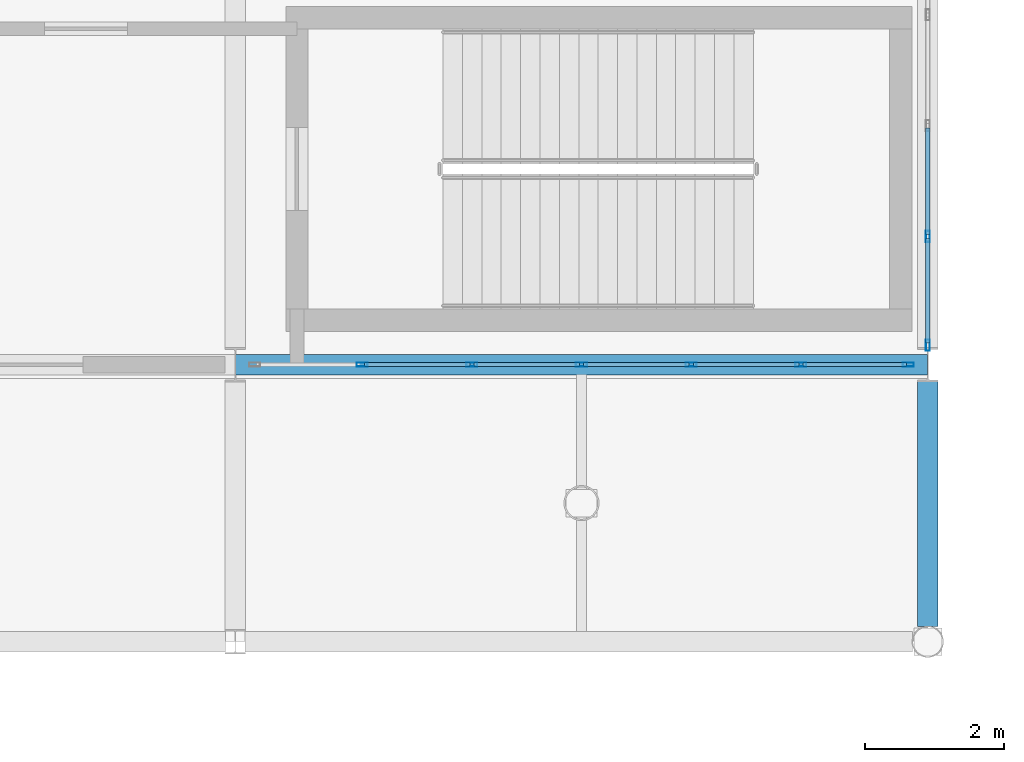
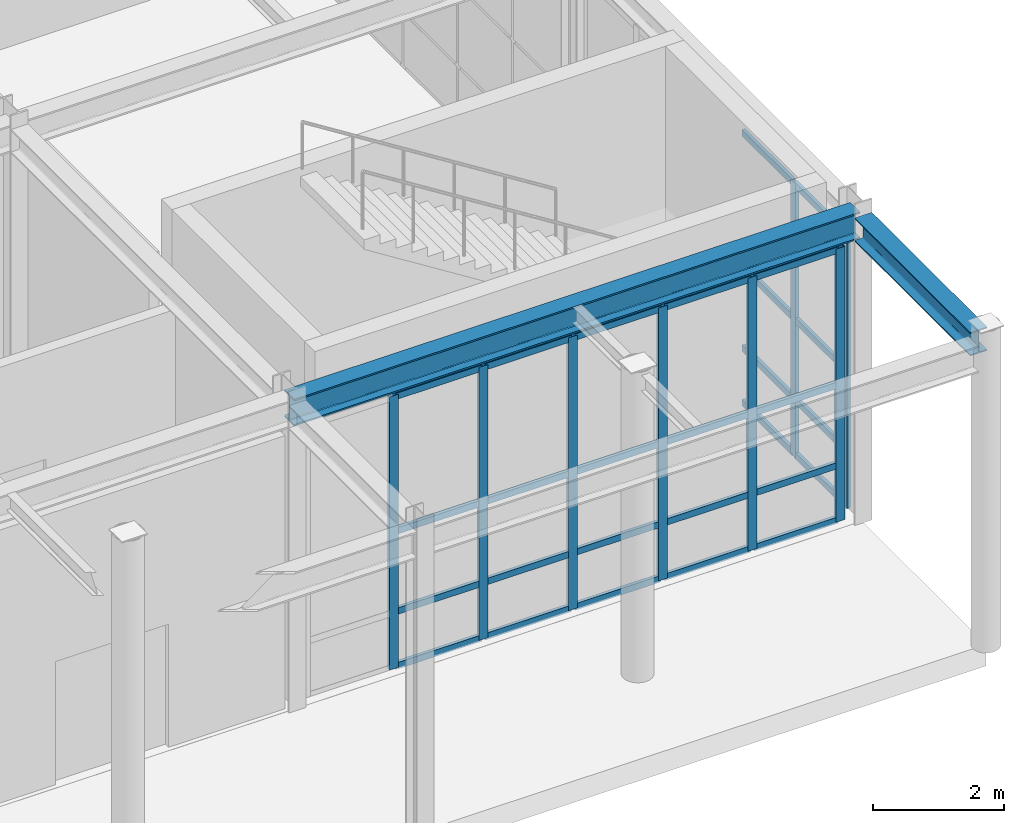
# One storey, part 84 of 146: 36 members, 2 beams, 2 elements without a shape of their own.
"""IFC4 building model written with IfcOpenShell, lengths in metres."""

from ifc_helpers import new_model, si_unit, direction, frame, origin, origin_2d, place, context, subcontext, project, spatial, hollow_rectangle, i_section, extrude, material, material_profile, profile_set, type_object, element, aggregate, save


model = new_model("IFC4")

# Units and contexts
model_context = context("Model", 3, precision=1e-05, world=origin(), true_north=direction((0.0, 1.0)))
body_context = subcontext(model_context, "Body", "Model", "MODEL_VIEW")
ifc_project = project(units=[si_unit("LENGTHUNIT", "METRE"), si_unit("AREAUNIT", "SQUARE_METRE"), si_unit("VOLUMEUNIT", "CUBIC_METRE"), si_unit("PLANEANGLEUNIT", "RADIAN"), si_unit("MASSUNIT", "GRAM", prefix="KILO")], contexts=[model_context])

# Site, building, storey
site_placement = place(None, origin())
site = spatial("IfcSite", under=ifc_project, at=site_placement, CompositionType="ELEMENT")
building_placement = place(site_placement, origin())
building = spatial("IfcBuilding", under=site, at=building_placement, Name="Kaldris Quays Convention Centre", CompositionType="ELEMENT")
storey_placement = place(building_placement, origin())
storey = spatial("IfcBuildingStorey", under=building, at=storey_placement, Name="L00", CompositionType="ELEMENT", Elevation=0.0)

# Curtain wall, members
ifc_material_1 = material(Name="Anodized aluminium AW-6060 and triple glazing", Category="aluminium")
curtain_wall_type_1 = type_object("IfcCurtainWallType", Name="UNITISED CURTAIN WALL CW01", PredefinedType="NOTDEFINED", material=ifc_material_1)
curtain_wall_1_placement = place(storey_placement, origin())
curtain_wall_1 = element("IfcCurtainWall", 1, at=curtain_wall_1_placement, inside=storey, type_object=curtain_wall_type_1, Name="L00 Unitised Curtain Wall CW01 181", PredefinedType="NOTDEFINED")
ifc_material_2 = material(Name="Anodized aluminium AW-6060", Category="aluminium")
ifc_material_profile_1 = material_profile(ifc_material_2, hollow_rectangle(XDim=0.06005859375, YDim=0.159912109375, WallThickness=0.00390625, at=origin_2d()), Name="RHS 160x60x4")
ifc_profile_set_1 = profile_set([ifc_material_profile_1], Name="Anodized aluminium AW-6060")
member_type_1 = type_object("IfcMemberType", Name="CURTAIN MULLION CWM1", PredefinedType="MULLION", material=ifc_profile_set_1)
member_1_placement = place(storey_placement, frame((195.833251953125, 20.0, 0.0), z_axis=(0.0, 0.0, 1.0), x_axis=(0.0, 1.0, 0.0)))
member_1 = element("IfcMember", 2, at=member_1_placement, type_object=member_type_1, Name="CW01 mullion 2", PredefinedType="MULLION", context=body_context, shape_type="SweptSolid", body=[
    extrude(hollow_rectangle(XDim=0.06005859375, YDim=0.159912109375, WallThickness=0.00390625, at=origin_2d()), origin(), (0.0, 0.0, 1.0), 5.10009765625),
])
member_2_placement = place(storey_placement, frame((197.416748046875, 20.0, 0.0), z_axis=(0.0, 0.0, 1.0), x_axis=(0.0, 1.0, 0.0)))
member_2 = element("IfcMember", 3, at=member_2_placement, type_object=member_type_1, Name="CW01 mullion 3", PredefinedType="MULLION", context=body_context, shape_type="SweptSolid", body=[
    extrude(hollow_rectangle(XDim=0.06005859375, YDim=0.159912109375, WallThickness=0.00390625, at=origin_2d()), origin(), (0.0, 0.0, 1.0), 5.10009765625),
])
member_3_placement = place(storey_placement, frame((199.0, 20.0, 0.0), z_axis=(0.0, 0.0, 1.0), x_axis=(0.0, 1.0, 0.0)))
member_3 = element("IfcMember", 4, at=member_3_placement, type_object=member_type_1, Name="CW01 mullion 4", PredefinedType="MULLION", context=body_context, shape_type="SweptSolid", body=[
    extrude(hollow_rectangle(XDim=0.06005859375, YDim=0.159912109375, WallThickness=0.00390625, at=origin_2d()), origin(), (0.0, 0.0, 1.0), 5.10009765625),
])
member_4_placement = place(storey_placement, frame((200.583251953125, 20.0, 0.0), z_axis=(0.0, 0.0, 1.0), x_axis=(0.0, 1.0, 0.0)))
member_4 = element("IfcMember", 5, at=member_4_placement, type_object=member_type_1, Name="CW01 mullion 5", PredefinedType="MULLION", context=body_context, shape_type="SweptSolid", body=[
    extrude(hollow_rectangle(XDim=0.06005859375, YDim=0.159912109375, WallThickness=0.00390625, at=origin_2d()), origin(), (0.0, 0.0, 1.0), 5.10009765625),
])
member_5_placement = place(storey_placement, frame((202.166748046875, 20.0, 0.0), z_axis=(0.0, 0.0, 1.0), x_axis=(0.0, 1.0, 0.0)))
member_5 = element("IfcMember", 6, at=member_5_placement, type_object=member_type_1, Name="CW01 mullion 6", PredefinedType="MULLION", context=body_context, shape_type="SweptSolid", body=[
    extrude(hollow_rectangle(XDim=0.06005859375, YDim=0.159912109375, WallThickness=0.00390625, at=origin_2d()), origin(), (0.0, 0.0, 1.0), 5.10009765625),
])
member_6_placement = place(storey_placement, frame((203.719970703125, 20.0, 0.0), z_axis=(0.0, 0.0, 1.0), x_axis=(0.0, 1.0, 0.0)))
member_6 = element("IfcMember", 7, at=member_6_placement, type_object=member_type_1, Name="CW01 mullion 7", PredefinedType="MULLION", context=body_context, shape_type="SweptSolid", body=[
    extrude(hollow_rectangle(XDim=0.06005859375, YDim=0.159912109375, WallThickness=0.00390625, at=origin_2d()), origin(), (0.0, 0.0, 1.0), 5.10009765625),
])

curtain_wall_type_2 = type_object("IfcCurtainWallType", Name="UNITISED CURTAIN WALL CW02", PredefinedType="NOTDEFINED", material=ifc_material_1)
curtain_wall_2_placement = place(storey_placement, origin())
curtain_wall_2 = element("IfcCurtainWall", 8, at=curtain_wall_2_placement, inside=storey, type_object=curtain_wall_type_2, Name="L00 Unitised Curtain Wall CW02 182", PredefinedType="NOTDEFINED")
member_7_placement = place(storey_placement, frame((204.0, 20.280029296875, 0.0), z_axis=(0.0, 0.0, 1.0), x_axis=(-1.0, 0.0, 0.0)))
member_7 = element("IfcMember", 9, at=member_7_placement, type_object=member_type_1, Name="CW02 mullion 1", PredefinedType="MULLION", context=body_context, shape_type="SweptSolid", body=[
    extrude(hollow_rectangle(XDim=0.06005859375, YDim=0.159912109375, WallThickness=0.00390625, at=origin_2d()), origin(), (0.0, 0.0, 1.0), 5.10009765625),
])
member_8_placement = place(storey_placement, frame((204.0, 21.85009765625, 0.0), z_axis=(0.0, 0.0, 1.0), x_axis=(-1.0, 0.0, 0.0)))
member_8 = element("IfcMember", 10, at=member_8_placement, type_object=member_type_1, Name="CW02 mullion 2", PredefinedType="MULLION", context=body_context, shape_type="SweptSolid", body=[
    extrude(hollow_rectangle(XDim=0.06005859375, YDim=0.159912109375, WallThickness=0.00390625, at=origin_2d()), origin(), (0.0, 0.0, 1.0), 5.10009765625),
])

# Member
ifc_material_profile_2 = material_profile(ifc_material_2, hollow_rectangle(XDim=0.06005859375, YDim=0.1201171875, WallThickness=0.00390625, at=origin_2d()), Name="RHS 120x60x4")
ifc_profile_set_2 = profile_set([ifc_material_profile_2], Name="Anodized aluminium AW-6060")
member_type_2 = type_object("IfcMemberType", Name="CURTAIN TRANSOM CWT1", PredefinedType="USERDEFINED", material=ifc_profile_set_2)
member_9_placement = place(storey_placement, frame((195.86328125, 20.0, 0.030029296875), z_axis=(1.0, 0.0, 0.0), x_axis=(0.0, 1.0, 0.0)))
member_9 = element("IfcMember", 11, at=member_9_placement, type_object=member_type_2, Name="CW01 transom 2.1", ObjectType="TRANSOM", PredefinedType="USERDEFINED", context=body_context, shape_type="SweptSolid", body=[
    extrude(hollow_rectangle(XDim=0.06005859375, YDim=0.1201171875, WallThickness=0.00390625, at=origin_2d()), origin(), (0.0, 0.0, 1.0), 1.5234375),
])

member_10_placement = place(storey_placement, frame((195.86328125, 20.0, 1.050048828125), z_axis=(1.0, 0.0, 0.0), x_axis=(0.0, 1.0, 0.0)))
member_10 = element("IfcMember", 12, at=member_10_placement, type_object=member_type_2, Name="CW01 transom 2.2", ObjectType="TRANSOM", PredefinedType="USERDEFINED", context=body_context, shape_type="SweptSolid", body=[
    extrude(hollow_rectangle(XDim=0.06005859375, YDim=0.1201171875, WallThickness=0.00390625, at=origin_2d()), origin(), (0.0, 0.0, 1.0), 1.5234375),
])

member_11_placement = place(storey_placement, frame((195.86328125, 20.0, 2.550048828125), z_axis=(1.0, 0.0, 0.0), x_axis=(0.0, 1.0, 0.0)))
member_11 = element("IfcMember", 13, at=member_11_placement, type_object=member_type_2, Name="CW01 transom 2.3", ObjectType="TRANSOM", PredefinedType="USERDEFINED", context=body_context, shape_type="SweptSolid", body=[
    extrude(hollow_rectangle(XDim=0.06005859375, YDim=0.1201171875, WallThickness=0.00390625, at=origin_2d()), origin(), (0.0, 0.0, 1.0), 1.5234375),
])

member_12_placement = place(storey_placement, frame((195.86328125, 20.0, 5.070068359375), z_axis=(1.0, 0.0, 0.0), x_axis=(0.0, 1.0, 0.0)))
member_12 = element("IfcMember", 14, at=member_12_placement, type_object=member_type_2, Name="CW01 transom 2.4", ObjectType="TRANSOM", PredefinedType="USERDEFINED", context=body_context, shape_type="SweptSolid", body=[
    extrude(hollow_rectangle(XDim=0.06005859375, YDim=0.1201171875, WallThickness=0.00390625, at=origin_2d()), origin(), (0.0, 0.0, 1.0), 1.5234375),
])

member_13_placement = place(storey_placement, frame((197.44677734375, 20.0, 0.030029296875), z_axis=(1.0, 0.0, 0.0), x_axis=(0.0, 1.0, 0.0)))
member_13 = element("IfcMember", 15, at=member_13_placement, type_object=member_type_2, Name="CW01 transom 3.1", ObjectType="TRANSOM", PredefinedType="USERDEFINED", context=body_context, shape_type="SweptSolid", body=[
    extrude(hollow_rectangle(XDim=0.06005859375, YDim=0.1201171875, WallThickness=0.00390625, at=origin_2d()), origin(), (0.0, 0.0, 1.0), 1.523193359375),
])

member_14_placement = place(storey_placement, frame((197.44677734375, 20.0, 1.050048828125), z_axis=(1.0, 0.0, 0.0), x_axis=(0.0, 1.0, 0.0)))
member_14 = element("IfcMember", 16, at=member_14_placement, type_object=member_type_2, Name="CW01 transom 3.2", ObjectType="TRANSOM", PredefinedType="USERDEFINED", context=body_context, shape_type="SweptSolid", body=[
    extrude(hollow_rectangle(XDim=0.06005859375, YDim=0.1201171875, WallThickness=0.00390625, at=origin_2d()), origin(), (0.0, 0.0, 1.0), 1.523193359375),
])

member_15_placement = place(storey_placement, frame((197.44677734375, 20.0, 2.550048828125), z_axis=(1.0, 0.0, 0.0), x_axis=(0.0, 1.0, 0.0)))
member_15 = element("IfcMember", 17, at=member_15_placement, type_object=member_type_2, Name="CW01 transom 3.3", ObjectType="TRANSOM", PredefinedType="USERDEFINED", context=body_context, shape_type="SweptSolid", body=[
    extrude(hollow_rectangle(XDim=0.06005859375, YDim=0.1201171875, WallThickness=0.00390625, at=origin_2d()), origin(), (0.0, 0.0, 1.0), 1.523193359375),
])

member_16_placement = place(storey_placement, frame((197.44677734375, 20.0, 5.070068359375), z_axis=(1.0, 0.0, 0.0), x_axis=(0.0, 1.0, 0.0)))
member_16 = element("IfcMember", 18, at=member_16_placement, type_object=member_type_2, Name="CW01 transom 3.4", ObjectType="TRANSOM", PredefinedType="USERDEFINED", context=body_context, shape_type="SweptSolid", body=[
    extrude(hollow_rectangle(XDim=0.06005859375, YDim=0.1201171875, WallThickness=0.00390625, at=origin_2d()), origin(), (0.0, 0.0, 1.0), 1.523193359375),
])

member_17_placement = place(storey_placement, frame((199.030029296875, 20.0, 0.030029296875), z_axis=(1.0, 0.0, 0.0), x_axis=(0.0, 1.0, 0.0)))
member_17 = element("IfcMember", 19, at=member_17_placement, type_object=member_type_2, Name="CW01 transom 4.1", ObjectType="TRANSOM", PredefinedType="USERDEFINED", context=body_context, shape_type="SweptSolid", body=[
    extrude(hollow_rectangle(XDim=0.06005859375, YDim=0.1201171875, WallThickness=0.00390625, at=origin_2d()), origin(), (0.0, 0.0, 1.0), 1.523193359375),
])

member_18_placement = place(storey_placement, frame((199.030029296875, 20.0, 1.050048828125), z_axis=(1.0, 0.0, 0.0), x_axis=(0.0, 1.0, 0.0)))
member_18 = element("IfcMember", 20, at=member_18_placement, type_object=member_type_2, Name="CW01 transom 4.2", ObjectType="TRANSOM", PredefinedType="USERDEFINED", context=body_context, shape_type="SweptSolid", body=[
    extrude(hollow_rectangle(XDim=0.06005859375, YDim=0.1201171875, WallThickness=0.00390625, at=origin_2d()), origin(), (0.0, 0.0, 1.0), 1.523193359375),
])

member_19_placement = place(storey_placement, frame((199.030029296875, 20.0, 2.550048828125), z_axis=(1.0, 0.0, 0.0), x_axis=(0.0, 1.0, 0.0)))
member_19 = element("IfcMember", 21, at=member_19_placement, type_object=member_type_2, Name="CW01 transom 4.3", ObjectType="TRANSOM", PredefinedType="USERDEFINED", context=body_context, shape_type="SweptSolid", body=[
    extrude(hollow_rectangle(XDim=0.06005859375, YDim=0.1201171875, WallThickness=0.00390625, at=origin_2d()), origin(), (0.0, 0.0, 1.0), 1.523193359375),
])

member_20_placement = place(storey_placement, frame((199.030029296875, 20.0, 5.070068359375), z_axis=(1.0, 0.0, 0.0), x_axis=(0.0, 1.0, 0.0)))
member_20 = element("IfcMember", 22, at=member_20_placement, type_object=member_type_2, Name="CW01 transom 4.4", ObjectType="TRANSOM", PredefinedType="USERDEFINED", context=body_context, shape_type="SweptSolid", body=[
    extrude(hollow_rectangle(XDim=0.06005859375, YDim=0.1201171875, WallThickness=0.00390625, at=origin_2d()), origin(), (0.0, 0.0, 1.0), 1.523193359375),
])

member_21_placement = place(storey_placement, frame((200.61328125, 20.0, 0.030029296875), z_axis=(1.0, 0.0, 0.0), x_axis=(0.0, 1.0, 0.0)))
member_21 = element("IfcMember", 23, at=member_21_placement, type_object=member_type_2, Name="CW01 transom 5.1", ObjectType="TRANSOM", PredefinedType="USERDEFINED", context=body_context, shape_type="SweptSolid", body=[
    extrude(hollow_rectangle(XDim=0.06005859375, YDim=0.1201171875, WallThickness=0.00390625, at=origin_2d()), origin(), (0.0, 0.0, 1.0), 1.5234375),
])

member_22_placement = place(storey_placement, frame((200.61328125, 20.0, 1.050048828125), z_axis=(1.0, 0.0, 0.0), x_axis=(0.0, 1.0, 0.0)))
member_22 = element("IfcMember", 24, at=member_22_placement, type_object=member_type_2, Name="CW01 transom 5.2", ObjectType="TRANSOM", PredefinedType="USERDEFINED", context=body_context, shape_type="SweptSolid", body=[
    extrude(hollow_rectangle(XDim=0.06005859375, YDim=0.1201171875, WallThickness=0.00390625, at=origin_2d()), origin(), (0.0, 0.0, 1.0), 1.5234375),
])

member_23_placement = place(storey_placement, frame((200.61328125, 20.0, 2.550048828125), z_axis=(1.0, 0.0, 0.0), x_axis=(0.0, 1.0, 0.0)))
member_23 = element("IfcMember", 25, at=member_23_placement, type_object=member_type_2, Name="CW01 transom 5.3", ObjectType="TRANSOM", PredefinedType="USERDEFINED", context=body_context, shape_type="SweptSolid", body=[
    extrude(hollow_rectangle(XDim=0.06005859375, YDim=0.1201171875, WallThickness=0.00390625, at=origin_2d()), origin(), (0.0, 0.0, 1.0), 1.5234375),
])

member_24_placement = place(storey_placement, frame((200.61328125, 20.0, 5.070068359375), z_axis=(1.0, 0.0, 0.0), x_axis=(0.0, 1.0, 0.0)))
member_24 = element("IfcMember", 26, at=member_24_placement, type_object=member_type_2, Name="CW01 transom 5.4", ObjectType="TRANSOM", PredefinedType="USERDEFINED", context=body_context, shape_type="SweptSolid", body=[
    extrude(hollow_rectangle(XDim=0.06005859375, YDim=0.1201171875, WallThickness=0.00390625, at=origin_2d()), origin(), (0.0, 0.0, 1.0), 1.5234375),
])

member_25_placement = place(storey_placement, frame((202.19677734375, 20.0, 0.030029296875), z_axis=(1.0, 0.0, 0.0), x_axis=(0.0, 1.0, 0.0)))
member_25 = element("IfcMember", 27, at=member_25_placement, type_object=member_type_2, Name="CW01 transom 6.1", ObjectType="TRANSOM", PredefinedType="USERDEFINED", context=body_context, shape_type="SweptSolid", body=[
    extrude(hollow_rectangle(XDim=0.06005859375, YDim=0.1201171875, WallThickness=0.00390625, at=origin_2d()), origin(), (0.0, 0.0, 1.0), 1.4931640625),
])

member_26_placement = place(storey_placement, frame((202.19677734375, 20.0, 1.050048828125), z_axis=(1.0, 0.0, 0.0), x_axis=(0.0, 1.0, 0.0)))
member_26 = element("IfcMember", 28, at=member_26_placement, type_object=member_type_2, Name="CW01 transom 6.2", ObjectType="TRANSOM", PredefinedType="USERDEFINED", context=body_context, shape_type="SweptSolid", body=[
    extrude(hollow_rectangle(XDim=0.06005859375, YDim=0.1201171875, WallThickness=0.00390625, at=origin_2d()), origin(), (0.0, 0.0, 1.0), 1.4931640625),
])

member_27_placement = place(storey_placement, frame((202.19677734375, 20.0, 2.550048828125), z_axis=(1.0, 0.0, 0.0), x_axis=(0.0, 1.0, 0.0)))
member_27 = element("IfcMember", 29, at=member_27_placement, type_object=member_type_2, Name="CW01 transom 6.3", ObjectType="TRANSOM", PredefinedType="USERDEFINED", context=body_context, shape_type="SweptSolid", body=[
    extrude(hollow_rectangle(XDim=0.06005859375, YDim=0.1201171875, WallThickness=0.00390625, at=origin_2d()), origin(), (0.0, 0.0, 1.0), 1.4931640625),
])

member_28_placement = place(storey_placement, frame((202.19677734375, 20.0, 5.070068359375), z_axis=(1.0, 0.0, 0.0), x_axis=(0.0, 1.0, 0.0)))
member_28 = element("IfcMember", 30, at=member_28_placement, type_object=member_type_2, Name="CW01 transom 6.4", ObjectType="TRANSOM", PredefinedType="USERDEFINED", context=body_context, shape_type="SweptSolid", body=[
    extrude(hollow_rectangle(XDim=0.06005859375, YDim=0.1201171875, WallThickness=0.00390625, at=origin_2d()), origin(), (0.0, 0.0, 1.0), 1.4931640625),
])

aggregate(curtain_wall_1, [member_1, member_2, member_3, member_4, member_5, member_6, member_9, member_10, member_11, member_12, member_13, member_14, member_15, member_16, member_17, member_18, member_19, member_20, member_21, member_22, member_23, member_24, member_25, member_26, member_27, member_28])

member_29_placement = place(storey_placement, frame((204.0, 20.31005859375, 0.030029296875), z_axis=(0.0, 1.0, 0.0), x_axis=(-1.0, 0.0, 0.0)))
member_29 = element("IfcMember", 31, at=member_29_placement, type_object=member_type_2, Name="CW02 transom 1.1", ObjectType="TRANSOM", PredefinedType="USERDEFINED", context=body_context, shape_type="SweptSolid", body=[
    extrude(hollow_rectangle(XDim=0.06005859375, YDim=0.1201171875, WallThickness=0.00390625, at=origin_2d()), origin(), (0.0, 0.0, 1.0), 1.510009765625),
])

member_30_placement = place(storey_placement, frame((204.0, 20.31005859375, 1.050048828125), z_axis=(0.0, 1.0, 0.0), x_axis=(-1.0, 0.0, 0.0)))
member_30 = element("IfcMember", 32, at=member_30_placement, type_object=member_type_2, Name="CW02 transom 1.2", ObjectType="TRANSOM", PredefinedType="USERDEFINED", context=body_context, shape_type="SweptSolid", body=[
    extrude(hollow_rectangle(XDim=0.06005859375, YDim=0.1201171875, WallThickness=0.00390625, at=origin_2d()), origin(), (0.0, 0.0, 1.0), 1.510009765625),
])

member_31_placement = place(storey_placement, frame((204.0, 20.31005859375, 2.550048828125), z_axis=(0.0, 1.0, 0.0), x_axis=(-1.0, 0.0, 0.0)))
member_31 = element("IfcMember", 33, at=member_31_placement, type_object=member_type_2, Name="CW02 transom 1.3", ObjectType="TRANSOM", PredefinedType="USERDEFINED", context=body_context, shape_type="SweptSolid", body=[
    extrude(hollow_rectangle(XDim=0.06005859375, YDim=0.1201171875, WallThickness=0.00390625, at=origin_2d()), origin(), (0.0, 0.0, 1.0), 1.510009765625),
])

member_32_placement = place(storey_placement, frame((204.0, 20.31005859375, 5.070068359375), z_axis=(0.0, 1.0, 0.0), x_axis=(-1.0, 0.0, 0.0)))
member_32 = element("IfcMember", 34, at=member_32_placement, type_object=member_type_2, Name="CW02 transom 1.4", ObjectType="TRANSOM", PredefinedType="USERDEFINED", context=body_context, shape_type="SweptSolid", body=[
    extrude(hollow_rectangle(XDim=0.06005859375, YDim=0.1201171875, WallThickness=0.00390625, at=origin_2d()), origin(), (0.0, 0.0, 1.0), 1.510009765625),
])

member_33_placement = place(storey_placement, frame((204.0, 21.8798828125, 0.030029296875), z_axis=(0.0, 1.0, 0.0), x_axis=(-1.0, 0.0, 0.0)))
member_33 = element("IfcMember", 35, at=member_33_placement, type_object=member_type_2, Name="CW02 transom 2.1", ObjectType="TRANSOM", PredefinedType="USERDEFINED", context=body_context, shape_type="SweptSolid", body=[
    extrude(hollow_rectangle(XDim=0.06005859375, YDim=0.1201171875, WallThickness=0.00390625, at=origin_2d()), origin(), (0.0, 0.0, 1.0), 1.5400390625),
])

member_34_placement = place(storey_placement, frame((204.0, 21.8798828125, 1.050048828125), z_axis=(0.0, 1.0, 0.0), x_axis=(-1.0, 0.0, 0.0)))
member_34 = element("IfcMember", 36, at=member_34_placement, type_object=member_type_2, Name="CW02 transom 2.2", ObjectType="TRANSOM", PredefinedType="USERDEFINED", context=body_context, shape_type="SweptSolid", body=[
    extrude(hollow_rectangle(XDim=0.06005859375, YDim=0.1201171875, WallThickness=0.00390625, at=origin_2d()), origin(), (0.0, 0.0, 1.0), 1.5400390625),
])

member_35_placement = place(storey_placement, frame((204.0, 21.8798828125, 2.550048828125), z_axis=(0.0, 1.0, 0.0), x_axis=(-1.0, 0.0, 0.0)))
member_35 = element("IfcMember", 37, at=member_35_placement, type_object=member_type_2, Name="CW02 transom 2.3", ObjectType="TRANSOM", PredefinedType="USERDEFINED", context=body_context, shape_type="SweptSolid", body=[
    extrude(hollow_rectangle(XDim=0.06005859375, YDim=0.1201171875, WallThickness=0.00390625, at=origin_2d()), origin(), (0.0, 0.0, 1.0), 1.5400390625),
])

member_36_placement = place(storey_placement, frame((204.0, 21.8798828125, 5.070068359375), z_axis=(0.0, 1.0, 0.0), x_axis=(-1.0, 0.0, 0.0)))
member_36 = element("IfcMember", 38, at=member_36_placement, type_object=member_type_2, Name="CW02 transom 2.4", ObjectType="TRANSOM", PredefinedType="USERDEFINED", context=body_context, shape_type="SweptSolid", body=[
    extrude(hollow_rectangle(XDim=0.06005859375, YDim=0.1201171875, WallThickness=0.00390625, at=origin_2d()), origin(), (0.0, 0.0, 1.0), 1.5400390625),
])

aggregate(curtain_wall_2, [member_7, member_8, member_29, member_30, member_31, member_32, member_33, member_34, member_35, member_36])

# Beams
ifc_material_3 = material(Name="Steel S355J2", Category="steel")
ifc_material_profile_3 = material_profile(ifc_material_3, i_section(OverallWidth=0.300048828125, OverallDepth=0.5, WebThickness=0.014404296875, FlangeThickness=0.028076171875, FilletRadius=0.027099609375, at=origin_2d()), Name="HEB 500")
ifc_profile_set_3 = profile_set([ifc_material_profile_3], Name="Steel S355J2")
beam_type_1 = type_object("IfcBeamType", Name="STRUCTURAL BEAM BM06", PredefinedType="BEAM", material=ifc_profile_set_3)
beam_1_placement = place(storey_placement, frame((194.001220703125, 20.0, 5.492919921875), z_axis=(1.0, 0.0, 0.0), x_axis=(0.0, 1.0, 0.0)))
element("IfcBeam", 39, at=beam_1_placement, inside=storey, type_object=beam_type_1, Name="L00 Girder BM06 10", PredefinedType="BEAM", context=body_context, shape_type="SweptSolid", body=[
    extrude(i_section(OverallWidth=0.300048828125, OverallDepth=0.5, WebThickness=0.014404296875, FlangeThickness=0.028076171875, FilletRadius=0.027099609375, at=origin_2d()), origin(), (0.0, 0.0, 1.0), 9.99755859375),
])
ifc_material_profile_4 = material_profile(ifc_material_3, i_section(OverallWidth=0.300048828125, OverallDepth=0.43994140625, WebThickness=0.011474609375, FlangeThickness=0.02099609375, FilletRadius=0.027099609375, at=origin_2d()), Name="HEA 450")
ifc_profile_set_4 = profile_set([ifc_material_profile_4], Name="Steel S355J2")
beam_type_2 = type_object("IfcBeamType", Name="STRUCTURAL BEAM BM14", PredefinedType="BEAM", material=ifc_profile_set_4)
beam_2_placement = place(storey_placement, frame((204.0, 16.222412109375, 5.52294921875), z_axis=(0.0, 1.0, 0.0), x_axis=(-1.0, 0.0, 0.0)))
element("IfcBeam", 40, at=beam_2_placement, inside=storey, type_object=beam_type_2, Name="L00 Girder BM14 36", PredefinedType="BEAM", context=body_context, shape_type="SweptSolid", body=[
    extrude(i_section(OverallWidth=0.300048828125, OverallDepth=0.43994140625, WebThickness=0.011474609375, FlangeThickness=0.02099609375, FilletRadius=0.027099609375, at=origin_2d()), origin(), (0.0, 0.0, 1.0), 3.53369140625),
])

save(model, "model.ifc")
